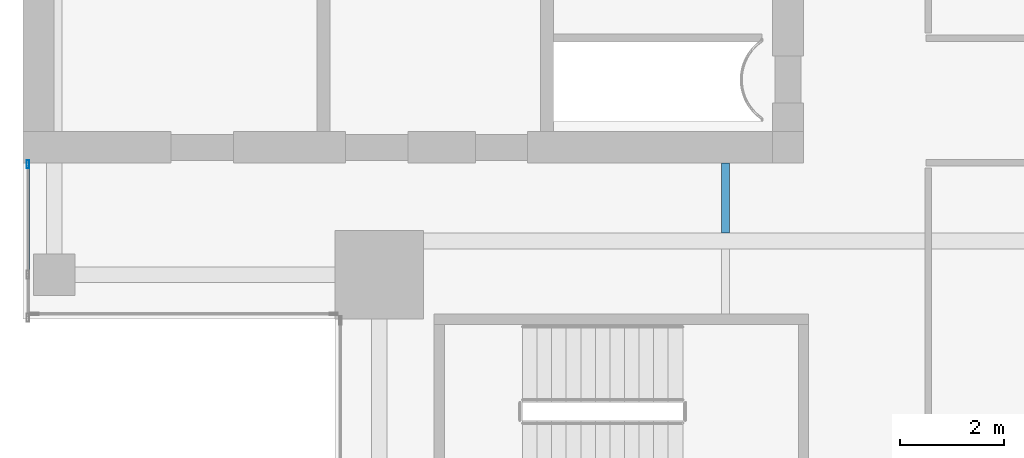
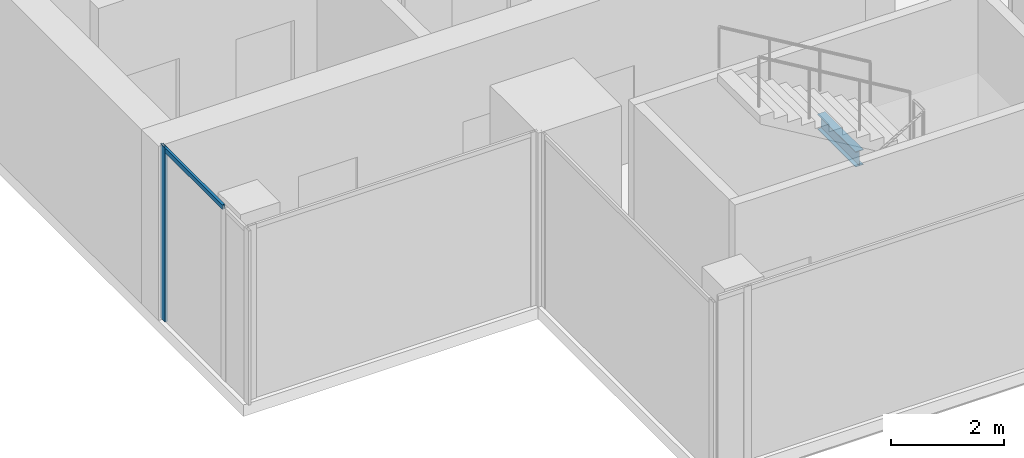
# One storey, part 4 of 28: 2 members, 1 beam, 1 element without a shape of its own.
"""IFC4 building model written with IfcOpenShell, lengths in metres."""

from ifc_helpers import new_model, si_unit, direction, frame, origin, origin_2d, place, context, subcontext, project, spatial, hollow_rectangle, i_section, extrude, source, transform, mapped, material, material_profile, profile_set, type_object, element, aggregate, save


model = new_model("IFC4")

# Units and contexts
model_context = context("Model", 3, precision=1e-05, world=origin(), true_north=direction((0.0, 1.0)))
body_context = subcontext(model_context, "Body", "Model", "MODEL_VIEW")
ifc_project = project(units=[si_unit("LENGTHUNIT", "METRE"), si_unit("AREAUNIT", "SQUARE_METRE"), si_unit("VOLUMEUNIT", "CUBIC_METRE"), si_unit("PLANEANGLEUNIT", "RADIAN"), si_unit("MASSUNIT", "GRAM", prefix="KILO")], contexts=[model_context])

# Site, building, storey
site_placement = place(None, origin())
site = spatial("IfcSite", under=ifc_project, at=site_placement, CompositionType="ELEMENT")
building_placement = place(site_placement, origin())
building = spatial("IfcBuilding", under=site, at=building_placement, Name="Khomas Fold Tower", CompositionType="ELEMENT")
storey_placement = place(building_placement, frame((0.0, 0.0, 302.199951171875)))
storey = spatial("IfcBuildingStorey", under=building, at=storey_placement, Name="L68", CompositionType="ELEMENT", Elevation=302.199951171875)

# Beam
ifc_material_1 = material(Name="Steel S355", Category="steel")
ifc_material_profile_1 = material_profile(ifc_material_1, i_section(OverallWidth=0.159912109375, OverallDepth=0.330078125, WebThickness=0.007568359375, FlangeThickness=0.011474609375, at=origin_2d()), Name="IPE 330")
ifc_profile_set_1 = profile_set([ifc_material_profile_1], Name="Steel S355")
beam_type = type_object("IfcBeamType", Name="IPE 330 beam JB1", PredefinedType="BEAM", material=ifc_profile_set_1)
shared_shape_1 = source(origin(), body_context, "Body", "SweptSolid", [
    extrude(i_section(OverallWidth=0.159912109375, OverallDepth=0.330078125, WebThickness=0.007568359375, FlangeThickness=0.011474609375, at=origin_2d()), origin(), (0.0, 0.0, 1.0), 1.35009765625),
])
beam_placement = place(storey_placement, frame((19.5, 13.64990234375, -0.4150390625), z_axis=(0.0, 1.0, 0.0), x_axis=(-1.0, 0.0, 0.0)))
element("IfcBeam", 1, at=beam_placement, inside=storey, type_object=beam_type, Name="JB1", PredefinedType="BEAM", context=body_context, shape_type="MappedRepresentation", body=[
    mapped(shared_shape_1, transform((0.0, 0.0, 0.0))),
])

# Curtain wall, members
ifc_material_2 = material(Name="Aluminium framed double glazing", Category="aluminium")
curtain_wall_type = type_object("IfcCurtainWallType", Name="SK-Unitised clear-glass wall, upper floors CW3", PredefinedType="NOTDEFINED", material=ifc_material_2)
curtain_wall_placement = place(storey_placement, origin())
curtain_wall = element("IfcCurtainWall", 2, at=curtain_wall_placement, inside=storey, type_object=curtain_wall_type, Name="CW3 run L68 09-1", PredefinedType="NOTDEFINED")
ifc_material_3 = material(Name="Aluminium", Category="aluminium")
ifc_material_profile_2 = material_profile(ifc_material_3, hollow_rectangle(XDim=0.050048828125, YDim=0.159912109375, WallThickness=0.00390625, at=origin_2d()), Name="SK-Unitised clear-glass wall, upper floors mullion CW3-M")
ifc_profile_set_2 = profile_set([ifc_material_profile_2], Name="Aluminium")
member_type_1 = type_object("IfcMemberType", Name="SK-Unitised clear-glass wall, upper floors mullion CW3-M", PredefinedType="MULLION", material=ifc_profile_set_2)
shared_shape_2 = source(origin(), body_context, "Body", "SweptSolid", [
    extrude(hollow_rectangle(XDim=0.050048828125, YDim=0.159912109375, WallThickness=0.00390625, at=origin_2d()), origin(), (0.0, 0.0, 1.0), 3.75),
])
member_1_placement = place(storey_placement, frame((6.10009765625, 14.97509765625, 0.0), z_axis=(0.0, 0.0, 1.0), x_axis=(1.0, 0.0, 0.0)))
member_1 = element("IfcMember", 3, at=member_1_placement, type_object=member_type_1, Name="CW3 mullion 1", PredefinedType="MULLION", context=body_context, shape_type="MappedRepresentation", body=[
    mapped(shared_shape_2, transform((0.0, 0.0, 0.0))),
])
ifc_material_4 = material(Name="Aluminium", Category="aluminium")
ifc_material_profile_3 = material_profile(ifc_material_4, hollow_rectangle(XDim=0.050048828125, YDim=0.10009765625, WallThickness=0.00390625, at=origin_2d()), Name="SK-Unitised clear-glass wall, upper floors transom CW3-T")
ifc_profile_set_3 = profile_set([ifc_material_profile_3], Name="Aluminium")
member_type_2 = type_object("IfcMemberType", Name="SK-Unitised clear-glass wall, upper floors transom CW3-T", PredefinedType="USERDEFINED", material=ifc_profile_set_3)
shared_shape_3 = source(origin(), body_context, "Body", "SweptSolid", [
    extrude(hollow_rectangle(XDim=0.050048828125, YDim=0.10009765625, WallThickness=0.00390625, at=origin_2d()), origin(), (0.0, 0.0, 1.0), 2.074951171875),
])
member_2_placement = place(storey_placement, frame((6.10009765625, 14.949951171875, 3.699951171875), z_axis=(0.0, -1.0, 0.0), x_axis=(1.0, 0.0, 0.0)))
member_2 = element("IfcMember", 4, at=member_2_placement, type_object=member_type_2, Name="CW3 transom 1", ObjectType="TRANSOM", PredefinedType="USERDEFINED", context=body_context, shape_type="MappedRepresentation", body=[
    mapped(shared_shape_3, transform((0.0, 0.0, 0.0))),
])
aggregate(curtain_wall, [member_1, member_2])

save(model, "model.ifc")
